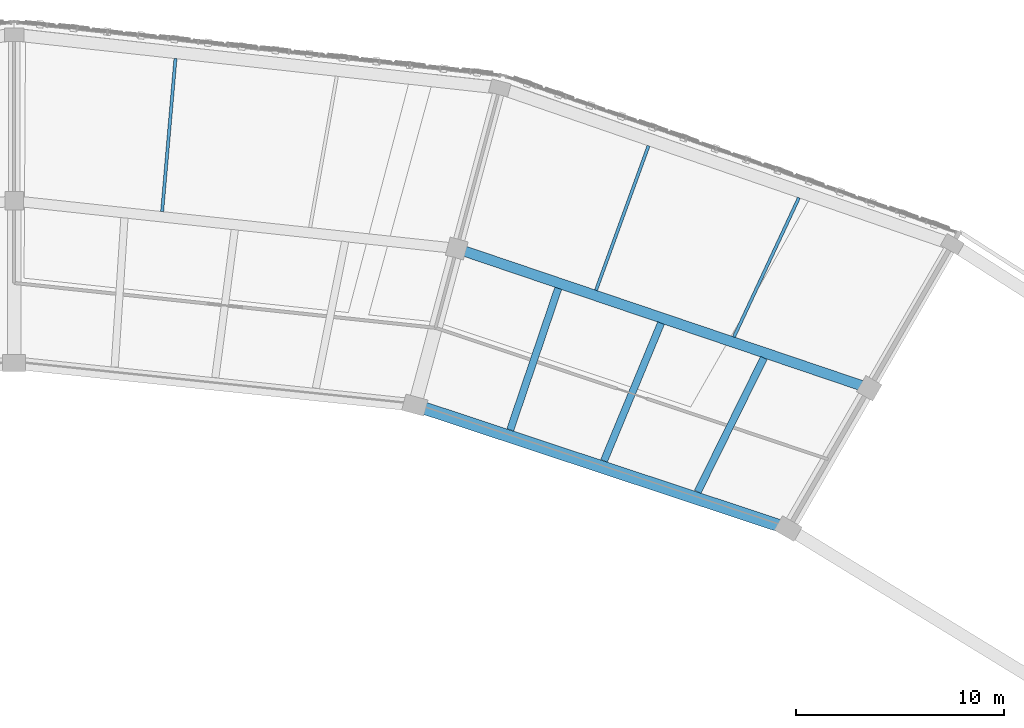
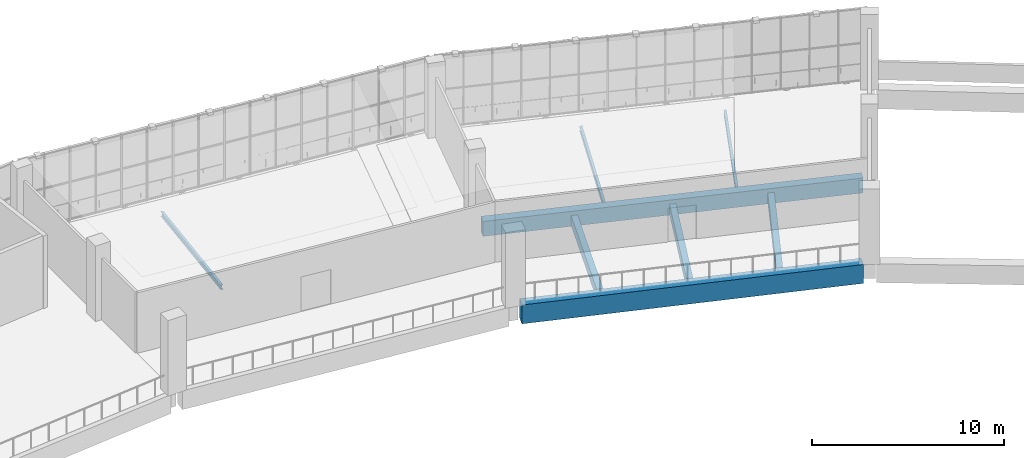
# One storey, part 29 of 64: 8 beams.
"""IFC4 building model written with IfcOpenShell, lengths in metres."""

from ifc_helpers import new_model, si_unit, direction, frame, origin, origin_2d, place, context, subcontext, project, spatial, rectangle, i_section, extrude, material, material_profile, profile_set, type_object, element, save


model = new_model("IFC4")

# Units and contexts
model_context = context("Model", 3, precision=1e-05, world=origin(), true_north=direction((0.0, 1.0)))
body_context = subcontext(model_context, "Body", "Model", "MODEL_VIEW")
ifc_project = project(units=[si_unit("LENGTHUNIT", "METRE"), si_unit("AREAUNIT", "SQUARE_METRE"), si_unit("VOLUMEUNIT", "CUBIC_METRE"), si_unit("PLANEANGLEUNIT", "RADIAN"), si_unit("MASSUNIT", "GRAM", prefix="KILO")], contexts=[model_context])

# Site, building, storey
site_placement = place(None, origin())
site = spatial("IfcSite", under=ifc_project, at=site_placement, CompositionType="ELEMENT")
building_placement = place(site_placement, origin())
building = spatial("IfcBuilding", under=site, at=building_placement, Name="Zevraka Park Crest Stadium", CompositionType="ELEMENT")
storey_placement = place(building_placement, frame((0.0, 0.0, 24.60009765625)))
storey = spatial("IfcBuildingStorey", under=building, at=storey_placement, Name="L05", CompositionType="ELEMENT", Elevation=24.60009765625)

# Beams
ifc_material_1 = material(Name="Concrete C40/50", Category="concrete")
ifc_material_profile_1 = material_profile(ifc_material_1, rectangle(XDim=0.60009765625, YDim=1.199951171875, at=origin_2d()), Name="RC 1200x600")
ifc_profile_set_1 = profile_set([ifc_material_profile_1], Name="Concrete C40/50")
beam_type_1 = type_object("IfcBeamType", Name="RB01", PredefinedType="BEAM", material=ifc_profile_set_1)
beam_1_placement = place(storey_placement, frame((148.888916015625, 143.64794921875, -0.610107421875), z_axis=(-0.949383863235, 0.314118258349, 0.0), x_axis=(-0.314118258349, -0.949383863235, 0.0)))
element("IfcBeam", 1, at=beam_1_placement, inside=storey, type_object=beam_type_1, Name="Ring Beam RB01 L05-B-04", PredefinedType="BEAM", context=body_context, shape_type="SweptSolid", body=[
    extrude(rectangle(XDim=0.60009765625, YDim=1.199951171875, at=origin_2d()), origin(), (0.0, 0.0, 1.0), 18.165283203125),
])
ifc_material_2 = material(Name="Concrete C40/50", Category="concrete")
ifc_material_profile_2 = material_profile(ifc_material_2, rectangle(XDim=0.5, YDim=0.949951171875, at=origin_2d()), Name="RC 950x500")
ifc_profile_set_2 = profile_set([ifc_material_profile_2], Name="Concrete C40/50")
beam_type_2 = type_object("IfcBeamType", Name="RB02", PredefinedType="BEAM", material=ifc_profile_set_2)
beam_2_placement = place(storey_placement, frame((152.7900390625, 150.406005859375, -0.485107421875), z_axis=(-0.947147952377, 0.320797064058, 0.0), x_axis=(-0.320797064058, -0.947147952377, 0.0)))
element("IfcBeam", 2, at=beam_2_placement, inside=storey, type_object=beam_type_2, Name="Ring Beam RB02 L05-C-04", PredefinedType="BEAM", context=body_context, shape_type="SweptSolid", body=[
    extrude(rectangle(XDim=0.5, YDim=0.949951171875, at=origin_2d()), origin(), (0.0, 0.0, 1.0), 20.196533203125),
])
ifc_material_3 = material(Name="Steel S355", Category="steel")
ifc_material_profile_3 = material_profile(ifc_material_3, i_section(OverallWidth=0.14990234375, OverallDepth=0.300048828125, WebThickness=0.007080078125, FlangeThickness=0.0107421875, at=origin_2d()), Name="IPE 300")
ifc_profile_set_3 = profile_set([ifc_material_profile_3], Name="Steel S355")
beam_type_3 = type_object("IfcBeamType", Name="SJ01", PredefinedType="JOIST", material=ifc_profile_set_3)
beam_3_placement = place(storey_placement, frame((146.636962890625, 152.7470703125, -0.418212890625), z_axis=(0.422910754133, 0.906171338125, 0.0), x_axis=(-0.906171338125, 0.422910754133, 0.0)))
element("IfcBeam", 3, at=beam_3_placement, inside=storey, type_object=beam_type_3, Name="Floor Joist SJ01 L05-CD-04-1", PredefinedType="JOIST", context=body_context, shape_type="SweptSolid", body=[
    extrude(i_section(OverallWidth=0.14990234375, OverallDepth=0.300048828125, WebThickness=0.007080078125, FlangeThickness=0.0107421875, at=origin_2d()), origin(), (0.0, 0.0, 1.0), 7.399169921875),
])
beam_4_placement = place(storey_placement, frame((140.0009765625, 154.99609375, -0.418212890625), z_axis=(0.341830495342, 0.939761625336, 0.0), x_axis=(-0.939761625336, 0.341830495342, 0.0)))
element("IfcBeam", 4, at=beam_4_placement, inside=storey, type_object=beam_type_3, Name="Floor Joist SJ01 L05-CD-04-2", PredefinedType="JOIST", context=body_context, shape_type="SweptSolid", body=[
    extrude(i_section(OverallWidth=0.14990234375, OverallDepth=0.300048828125, WebThickness=0.007080078125, FlangeThickness=0.0107421875, at=origin_2d()), origin(), (0.0, 0.0, 1.0), 7.3984375),
])
beam_5_placement = place(storey_placement, frame((119.1220703125, 158.780029296875, -0.418212890625), z_axis=(0.086881642908, 0.996218640724, 0.0), x_axis=(-0.996218640724, 0.086881642908, 0.0)))
element("IfcBeam", 5, at=beam_5_placement, inside=storey, type_object=beam_type_3, Name="Floor Joist SJ01 L05-CD-05-2", PredefinedType="JOIST", context=body_context, shape_type="SweptSolid", body=[
    extrude(i_section(OverallWidth=0.14990234375, OverallDepth=0.300048828125, WebThickness=0.007080078125, FlangeThickness=0.0107421875, at=origin_2d()), origin(), (0.0, 0.0, 1.0), 7.39892578125),
])
ifc_material_4 = material(Name="Concrete C40/50", Category="concrete")
ifc_material_profile_4 = material_profile(ifc_material_4, rectangle(XDim=0.35009765625, YDim=0.64990234375, at=origin_2d()), Name="RC 650x350")
ifc_profile_set_4 = profile_set([ifc_material_profile_4], Name="Concrete C40/50")
beam_type_4 = type_object("IfcBeamType", Name="SJ06", PredefinedType="JOIST", material=ifc_profile_set_4)
beam_6_placement = place(storey_placement, frame((144.89697265625, 145.297119140625, -0.593017578125), z_axis=(0.442549118131, 0.896744265686, 0.0), x_axis=(-0.896744265686, 0.442549118131, 0.0)))
element("IfcBeam", 6, at=beam_6_placement, inside=storey, type_object=beam_type_4, Name="Floor Joist SJ06 L05-BC-04-1", PredefinedType="JOIST", context=body_context, shape_type="SweptSolid", body=[
    extrude(rectangle(XDim=0.35009765625, YDim=0.64990234375, at=origin_2d()), origin(), (0.0, 0.0, 1.0), 7.1904296875),
])
beam_7_placement = place(storey_placement, frame((140.386962890625, 146.7919921875, -0.593017578125), z_axis=(0.382700487371, 0.923872467912, 0.0), x_axis=(-0.923872467912, 0.382700487371, 0.0)))
element("IfcBeam", 7, at=beam_7_placement, inside=storey, type_object=beam_type_4, Name="Floor Joist SJ06 L05-BC-04-2", PredefinedType="JOIST", context=body_context, shape_type="SweptSolid", body=[
    extrude(rectangle(XDim=0.35009765625, YDim=0.64990234375, at=origin_2d()), origin(), (0.0, 0.0, 1.0), 7.173095703125),
])
beam_8_placement = place(storey_placement, frame((135.875, 148.284912109375, -0.593017578125), z_axis=(0.321275682742, 0.946985710388, 0.0), x_axis=(-0.946985710388, 0.321275682742, 0.0)))
element("IfcBeam", 8, at=beam_8_placement, inside=storey, type_object=beam_type_4, Name="Floor Joist SJ06 L05-BC-04-3", PredefinedType="JOIST", context=body_context, shape_type="SweptSolid", body=[
    extrude(rectangle(XDim=0.35009765625, YDim=0.64990234375, at=origin_2d()), origin(), (0.0, 0.0, 1.0), 7.190185546875),
])

save(model, "model.ifc")
